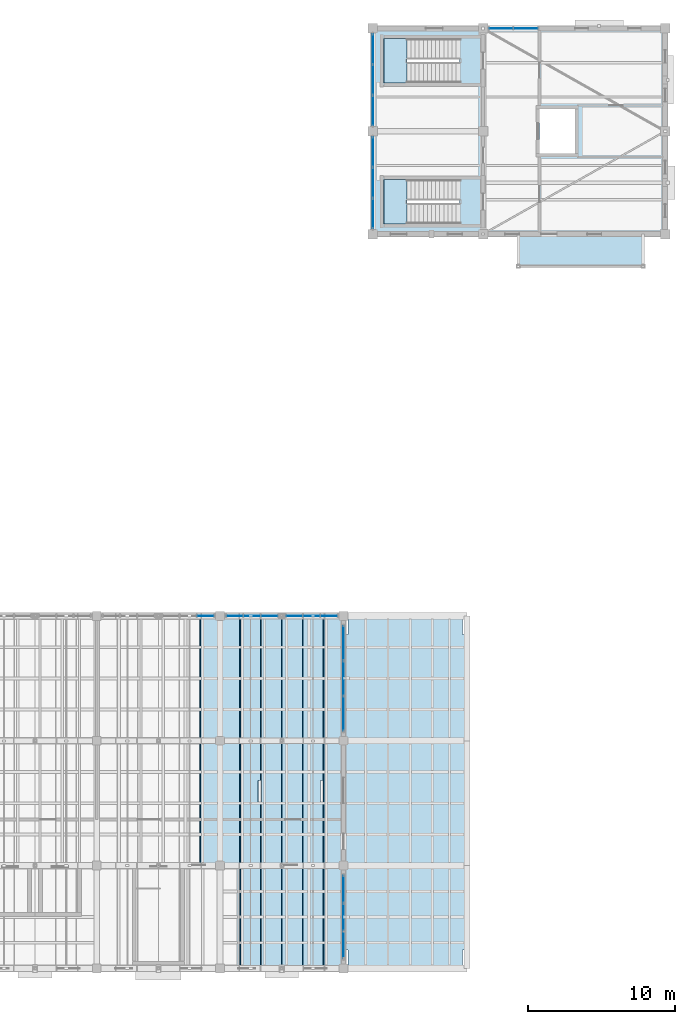
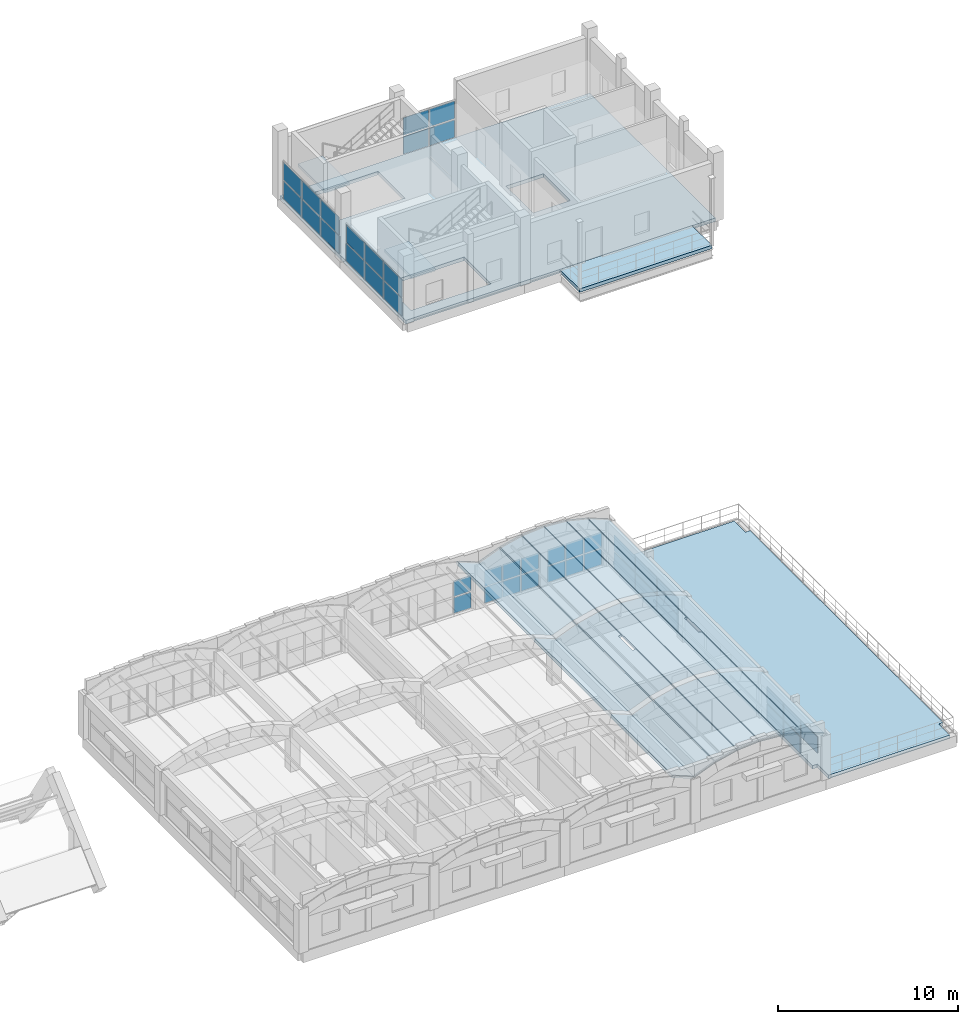
# One storey, part 22 of 40: 41 plates, 12 slabs, 10 elements without a shape of their own.
"""IFC4 building model written with IfcOpenShell, lengths in metres."""

from ifc_helpers import new_model, si_unit, direction, frame, origin, origin_2d, place, context, subcontext, project, spatial, polyline, rectangle, outline, extrude, material, layer, layer_set, type_object, element, aggregate, save


model = new_model("IFC4")

# Units and contexts
model_context = context("Model", 3, precision=1e-05, world=origin(), true_north=direction((0.0, 1.0)))
body_context = subcontext(model_context, "Body", "Model", "MODEL_VIEW")
ifc_project = project(units=[si_unit("LENGTHUNIT", "METRE"), si_unit("AREAUNIT", "SQUARE_METRE"), si_unit("VOLUMEUNIT", "CUBIC_METRE"), si_unit("PLANEANGLEUNIT", "RADIAN"), si_unit("MASSUNIT", "GRAM", prefix="KILO")], contexts=[model_context])

# Site, building, storey
site_placement = place(None, origin())
site = spatial("IfcSite", under=ifc_project, at=site_placement, CompositionType="ELEMENT")
building_placement = place(site_placement, origin())
building = spatial("IfcBuilding", under=site, at=building_placement, Name="Trellovar Central Fire Station", CompositionType="ELEMENT")
storey_placement = place(building_placement, frame((0.0, 0.0, 12.75)))
storey = spatial("IfcBuildingStorey", under=building, at=storey_placement, Name="L04", CompositionType="ELEMENT", Elevation=12.75)

# Curtain wall, plate
ifc_material_1 = material(Name="Thermally broken bronze anodized aluminum", Category="aluminium")
ifc_layer_1 = layer(ifc_material_1, 0.159912109375)
ifc_layer_set_1 = layer_set([ifc_layer_1], Name="Thermally broken bronze anodized aluminum")
curtain_wall_type_1 = type_object("IfcCurtainWallType", Name="CW-09", PredefinedType="NOTDEFINED", material=ifc_layer_set_1)
curtain_wall_1_placement = place(storey_placement, origin())
curtain_wall_1 = element("IfcCurtainWall", 1, at=curtain_wall_1_placement, inside=storey, type_object=curtain_wall_type_1, Name="L04 curtain wall CW-9", PredefinedType="NOTDEFINED")
ifc_material_2 = material(Name="Double low-E solar control insulated glazing", Category="glass")
ifc_layer_2 = layer(ifc_material_2, 0.031982421875)
ifc_layer_set_2 = layer_set([ifc_layer_2], Name="Double low-E solar control insulated glazing")
plate_type_1 = type_object("IfcPlateType", Name="CWP-GL1", PredefinedType="CURTAIN_PANEL", material=ifc_layer_set_2)
plate_1_placement = place(storey_placement, frame((129.708251953125, 33.0, 1.18505859375), z_axis=(0.0, 0.0, 1.0), x_axis=(-1.0, 0.0, 0.0)))
plate_1 = element("IfcPlate", 2, at=plate_1_placement, type_object=plate_type_1, Name="CW3-L04-0095 panel 1-2", PredefinedType="CURTAIN_PANEL", context=body_context, shape_type="SweptSolid", body=[
    extrude(rectangle(XDim=1.103271484375, YDim=0.031982421875, at=origin_2d()), origin(), (0.0, 0.0, 1.0), 1.06494140625),
])

curtain_wall_2_placement = place(storey_placement, origin())
curtain_wall_2 = element("IfcCurtainWall", 3, at=curtain_wall_2_placement, inside=storey, type_object=curtain_wall_type_1, Name="L04 curtain wall CW-9", PredefinedType="NOTDEFINED")
plate_2_placement = place(storey_placement, frame((135.74169921875, 33.0, 1.18505859375), z_axis=(0.0, 0.0, 1.0), x_axis=(-1.0, 0.0, 0.0)))
plate_2 = element("IfcPlate", 4, at=plate_2_placement, type_object=plate_type_1, Name="CW3-L04-0097 panel 3-2", PredefinedType="CURTAIN_PANEL", context=body_context, shape_type="SweptSolid", body=[
    extrude(rectangle(XDim=1.103271484375, YDim=0.031982421875, at=origin_2d()), origin(), (0.0, 0.0, 1.0), 1.06494140625),
])

ifc_material_3 = material(Name="Thermally broken bronze anodized aluminum", Category="aluminium")
ifc_layer_3 = layer(ifc_material_3, 0.159912109375)
ifc_layer_set_3 = layer_set([ifc_layer_3], Name="Thermally broken bronze anodized aluminum")
curtain_wall_type_2 = type_object("IfcCurtainWallType", Name="CW-10", PredefinedType="NOTDEFINED", material=ifc_layer_set_3)
curtain_wall_3_placement = place(storey_placement, origin())
curtain_wall_3 = element("IfcCurtainWall", 5, at=curtain_wall_3_placement, inside=storey, type_object=curtain_wall_type_2, Name="L04 curtain wall CW-10", PredefinedType="NOTDEFINED")
plate_3_placement = place(storey_placement, frame((132.875, 33.0, 1.18505859375), z_axis=(0.0, 0.0, 1.0), x_axis=(-1.0, 0.0, 0.0)))
plate_3 = element("IfcPlate", 6, at=plate_3_placement, type_object=plate_type_1, Name="CW3-L04-0098 panel 2-2", PredefinedType="CURTAIN_PANEL", context=body_context, shape_type="SweptSolid", body=[
    extrude(rectangle(XDim=1.103515625, YDim=0.031982421875, at=origin_2d()), origin(), (0.0, 0.0, 1.0), 1.06494140625),
])

ifc_material_4 = material(Name="Thermally broken bronze anodized aluminum", Category="aluminium")
ifc_layer_4 = layer(ifc_material_4, 0.159912109375)
ifc_layer_set_4 = layer_set([ifc_layer_4], Name="Thermally broken bronze anodized aluminum")
curtain_wall_type_3 = type_object("IfcCurtainWallType", Name="CW-01", PredefinedType="NOTDEFINED", material=ifc_layer_set_4)
curtain_wall_4_placement = place(storey_placement, origin())
curtain_wall_4 = element("IfcCurtainWall", 7, at=curtain_wall_4_placement, inside=storey, type_object=curtain_wall_type_3, Name="L04 curtain wall CW-1", PredefinedType="NOTDEFINED")
plate_4_placement = place(storey_placement, frame((139.10009765625, 12.5, 1.2099609375), z_axis=(0.0, 0.0, 1.0), x_axis=(0.0, 1.0, 0.0)))
plate_4 = element("IfcPlate", 8, at=plate_4_placement, type_object=plate_type_1, Name="CW3-L04-0102 panel 2-2", PredefinedType="CURTAIN_PANEL", context=body_context, shape_type="SweptSolid", body=[
    extrude(rectangle(XDim=1.820068359375, YDim=0.031982421875, at=origin_2d()), origin(), (0.0, 0.0, 1.0), 1.090087890625),
])

curtain_wall_5_placement = place(storey_placement, origin())
curtain_wall_5 = element("IfcCurtainWall", 9, at=curtain_wall_5_placement, inside=storey, type_object=curtain_wall_type_3, Name="L04 curtain wall CW-1", PredefinedType="NOTDEFINED")
plate_5_placement = place(storey_placement, frame((139.10009765625, 26.35009765625, 1.2099609375), z_axis=(0.0, 0.0, 1.0), x_axis=(0.0, 1.0, 0.0)))
plate_5 = element("IfcPlate", 10, at=plate_5_placement, type_object=plate_type_1, Name="CW3-L04-0103 panel 1-2", PredefinedType="CURTAIN_PANEL", context=body_context, shape_type="SweptSolid", body=[
    extrude(rectangle(XDim=2.320068359375, YDim=0.031982421875, at=origin_2d()), origin(), (0.0, 0.0, 1.0), 1.090087890625),
])

ifc_material_5 = material(Name="Thermally broken bronze anodized aluminum", Category="aluminium")
ifc_layer_5 = layer(ifc_material_5, 0.159912109375)
ifc_layer_set_5 = layer_set([ifc_layer_5], Name="Thermally broken bronze anodized aluminum")
curtain_wall_type_4 = type_object("IfcCurtainWallType", Name="CW-08", PredefinedType="NOTDEFINED", material=ifc_layer_set_5)
curtain_wall_6_placement = place(storey_placement, origin())
curtain_wall_6 = element("IfcCurtainWall", 11, at=curtain_wall_6_placement, inside=storey, type_object=curtain_wall_type_4, Name="V2 L04 north lobby curtain wall", PredefinedType="NOTDEFINED")
plate_6_placement = place(storey_placement, frame((149.822509765625, 73.0, 1.31494140625), z_axis=(0.0, 0.0, 1.0), x_axis=(-1.0, 0.0, 0.0)))
plate_6 = element("IfcPlate", 12, at=plate_6_placement, type_object=plate_type_1, Name="CW3-L04-0162 panel 2-2", PredefinedType="CURTAIN_PANEL", context=body_context, shape_type="SweptSolid", body=[
    extrude(rectangle(XDim=1.60498046875, YDim=0.031982421875, at=origin_2d()), origin(), (0.0, 0.0, 1.0), 1.195068359375),
])

curtain_wall_7_placement = place(storey_placement, origin())
curtain_wall_7 = element("IfcCurtainWall", 13, at=curtain_wall_7_placement, inside=storey, type_object=curtain_wall_type_1, Name="V2 L04 west drill yard curtain wall", PredefinedType="NOTDEFINED")
plate_7_placement = place(storey_placement, frame((141.10009765625, 60.406494140625, 1.31494140625), z_axis=(0.0, 0.0, 1.0), x_axis=(0.0, 1.0, 0.0)))
plate_7 = element("IfcPlate", 14, at=plate_7_placement, type_object=plate_type_1, Name="CW3-L04-0163 panel 1-2", PredefinedType="CURTAIN_PANEL", context=body_context, shape_type="SweptSolid", body=[
    extrude(rectangle(XDim=2.01318359375, YDim=0.031982421875, at=origin_2d()), origin(), (0.0, 0.0, 1.0), 1.195068359375),
])

# Plate
ifc_material_6 = material(Name="Double low-E solar control insulated glazing", Category="glass")
ifc_layer_6 = layer(ifc_material_6, 0.035888671875)
ifc_layer_set_6 = layer_set([ifc_layer_6], Name="Double low-E solar control insulated glazing")
plate_type_2 = type_object("IfcPlateType", Name="CWP-GL2", PredefinedType="CURTAIN_PANEL", material=ifc_layer_set_6)
plate_8_placement = place(storey_placement, frame((131.691650390625, 33.0, 1.18505859375), z_axis=(0.0, 0.0, 1.0), x_axis=(-1.0, 0.0, 0.0)))
plate_8 = element("IfcPlate", 15, at=plate_8_placement, type_object=plate_type_2, Name="CW3-L04-0098 panel 3-2", PredefinedType="CURTAIN_PANEL", context=body_context, shape_type="SweptSolid", body=[
    extrude(rectangle(XDim=1.103271484375, YDim=0.035888671875, at=origin_2d()), origin(), (0.0, 0.0, 1.0), 1.06494140625),
])

plate_9_placement = place(storey_placement, frame((139.10009765625, 14.39990234375, 1.2099609375), z_axis=(0.0, 0.0, 1.0), x_axis=(0.0, 1.0, 0.0)))
plate_9 = element("IfcPlate", 16, at=plate_9_placement, type_object=plate_type_2, Name="CW3-L04-0102 panel 3-2", PredefinedType="CURTAIN_PANEL", context=body_context, shape_type="SweptSolid", body=[
    extrude(rectangle(XDim=1.820068359375, YDim=0.035888671875, at=origin_2d()), origin(), (0.0, 0.0, 1.0), 1.090087890625),
])

plate_10_placement = place(storey_placement, frame((139.10009765625, 28.75, 1.2099609375), z_axis=(0.0, 0.0, 1.0), x_axis=(0.0, 1.0, 0.0)))
plate_10 = element("IfcPlate", 17, at=plate_10_placement, type_object=plate_type_2, Name="CW3-L04-0103 panel 2-2", PredefinedType="CURTAIN_PANEL", context=body_context, shape_type="SweptSolid", body=[
    extrude(rectangle(XDim=2.320068359375, YDim=0.035888671875, at=origin_2d()), origin(), (0.0, 0.0, 1.0), 1.090087890625),
])

plate_11_placement = place(storey_placement, frame((141.10009765625, 62.5, 1.31494140625), z_axis=(0.0, 0.0, 1.0), x_axis=(0.0, 1.0, 0.0)))
plate_11 = element("IfcPlate", 18, at=plate_11_placement, type_object=plate_type_2, Name="CW3-L04-0163 panel 2-2", PredefinedType="CURTAIN_PANEL", context=body_context, shape_type="SweptSolid", body=[
    extrude(rectangle(XDim=2.013427734375, YDim=0.035888671875, at=origin_2d()), origin(), (0.0, 0.0, 1.0), 1.195068359375),
])

# Curtain wall, plate
curtain_wall_8_placement = place(storey_placement, origin())
curtain_wall_8 = element("IfcCurtainWall", 19, at=curtain_wall_8_placement, inside=storey, type_object=curtain_wall_type_1, Name="V2 L04 west drill yard curtain wall", PredefinedType="NOTDEFINED")
plate_12_placement = place(storey_placement, frame((141.10009765625, 67.406494140625, 1.31494140625), z_axis=(0.0, 0.0, 1.0), x_axis=(0.0, 1.0, 0.0)))
plate_12 = element("IfcPlate", 20, at=plate_12_placement, type_object=plate_type_2, Name="CW3-L04-0164 panel 1-2", PredefinedType="CURTAIN_PANEL", context=body_context, shape_type="SweptSolid", body=[
    extrude(rectangle(XDim=2.01318359375, YDim=0.035888671875, at=origin_2d()), origin(), (0.0, 0.0, 1.0), 1.195068359375),
])

# Plate
ifc_material_7 = material(Name="Double low-E solar control insulated glazing", Category="glass")
ifc_layer_7 = layer(ifc_material_7, 0.033935546875)
ifc_layer_set_7 = layer_set([ifc_layer_7], Name="Double low-E solar control insulated glazing")
plate_type_3 = type_object("IfcPlateType", Name="CWP-GL3", PredefinedType="CURTAIN_PANEL", material=ifc_layer_set_7)
plate_13_placement = place(storey_placement, frame((138.1083984375, 33.0, 1.18505859375), z_axis=(0.0, 0.0, 1.0), x_axis=(-1.0, 0.0, 0.0)))
plate_13 = element("IfcPlate", 21, at=plate_13_placement, type_object=plate_type_3, Name="CW3-L04-0097 panel 1-2", PredefinedType="CURTAIN_PANEL", context=body_context, shape_type="SweptSolid", body=[
    extrude(rectangle(XDim=1.103271484375, YDim=0.033935546875, at=origin_2d()), origin(), (0.0, 0.0, 1.0), 1.06494140625),
])

plate_14_placement = place(storey_placement, frame((139.10009765625, 31.14990234375, 1.2099609375), z_axis=(0.0, 0.0, 1.0), x_axis=(0.0, 1.0, 0.0)))
plate_14 = element("IfcPlate", 22, at=plate_14_placement, type_object=plate_type_3, Name="CW3-L04-0103 panel 3-2", PredefinedType="CURTAIN_PANEL", context=body_context, shape_type="SweptSolid", body=[
    extrude(rectangle(XDim=2.320068359375, YDim=0.033935546875, at=origin_2d()), origin(), (0.0, 0.0, 1.0), 1.090087890625),
])

plate_15_placement = place(storey_placement, frame((141.10009765625, 64.593505859375, 1.31494140625), z_axis=(0.0, 0.0, 1.0), x_axis=(0.0, 1.0, 0.0)))
plate_15 = element("IfcPlate", 23, at=plate_15_placement, type_object=plate_type_3, Name="CW3-L04-0163 panel 3-2", PredefinedType="CURTAIN_PANEL", context=body_context, shape_type="SweptSolid", body=[
    extrude(rectangle(XDim=2.01318359375, YDim=0.033935546875, at=origin_2d()), origin(), (0.0, 0.0, 1.0), 1.195068359375),
])

plate_16_placement = place(storey_placement, frame((141.10009765625, 69.5, 1.31494140625), z_axis=(0.0, 0.0, 1.0), x_axis=(0.0, 1.0, 0.0)))
plate_16 = element("IfcPlate", 24, at=plate_16_placement, type_object=plate_type_3, Name="CW3-L04-0164 panel 2-2", PredefinedType="CURTAIN_PANEL", context=body_context, shape_type="SweptSolid", body=[
    extrude(rectangle(XDim=2.013427734375, YDim=0.033935546875, at=origin_2d()), origin(), (0.0, 0.0, 1.0), 1.195068359375),
])

ifc_material_8 = material(Name="Double low-E solar control insulated glazing", Category="glass")
ifc_layer_8 = layer(ifc_material_8, 0.030029296875)
ifc_layer_set_8 = layer_set([ifc_layer_8], Name="Double low-E solar control insulated glazing")
plate_type_4 = type_object("IfcPlateType", Name="CWP-GL4", PredefinedType="CURTAIN_PANEL", material=ifc_layer_set_8)
plate_17_placement = place(storey_placement, frame((136.925048828125, 33.0, 1.18505859375), z_axis=(0.0, 0.0, 1.0), x_axis=(-1.0, 0.0, 0.0)))
plate_17 = element("IfcPlate", 25, at=plate_17_placement, type_object=plate_type_4, Name="CW3-L04-0097 panel 2-2", PredefinedType="CURTAIN_PANEL", context=body_context, shape_type="SweptSolid", body=[
    extrude(rectangle(XDim=1.103515625, YDim=0.030029296875, at=origin_2d()), origin(), (0.0, 0.0, 1.0), 1.06494140625),
])

plate_18_placement = place(storey_placement, frame((134.058349609375, 33.0, 1.18505859375), z_axis=(0.0, 0.0, 1.0), x_axis=(-1.0, 0.0, 0.0)))
plate_18 = element("IfcPlate", 26, at=plate_18_placement, type_object=plate_type_4, Name="CW3-L04-0098 panel 1-2", PredefinedType="CURTAIN_PANEL", context=body_context, shape_type="SweptSolid", body=[
    extrude(rectangle(XDim=1.103271484375, YDim=0.030029296875, at=origin_2d()), origin(), (0.0, 0.0, 1.0), 1.06494140625),
])

plate_19_placement = place(storey_placement, frame((139.10009765625, 10.60009765625, 1.2099609375), z_axis=(0.0, 0.0, 1.0), x_axis=(0.0, 1.0, 0.0)))
plate_19 = element("IfcPlate", 27, at=plate_19_placement, type_object=plate_type_4, Name="CW3-L04-0102 panel 1-2", PredefinedType="CURTAIN_PANEL", context=body_context, shape_type="SweptSolid", body=[
    extrude(rectangle(XDim=1.820068359375, YDim=0.030029296875, at=origin_2d()), origin(), (0.0, 0.0, 1.0), 1.090087890625),
])

plate_20_placement = place(storey_placement, frame((151.507568359375, 73.0, 1.31494140625), z_axis=(0.0, 0.0, 1.0), x_axis=(-1.0, 0.0, 0.0)))
plate_20 = element("IfcPlate", 28, at=plate_20_placement, type_object=plate_type_4, Name="CW3-L04-0162 panel 1-2", PredefinedType="CURTAIN_PANEL", context=body_context, shape_type="SweptSolid", body=[
    extrude(rectangle(XDim=1.60498046875, YDim=0.030029296875, at=origin_2d()), origin(), (0.0, 0.0, 1.0), 1.195068359375),
])

plate_21_placement = place(storey_placement, frame((141.10009765625, 71.593505859375, 1.31494140625), z_axis=(0.0, 0.0, 1.0), x_axis=(0.0, 1.0, 0.0)))
plate_21 = element("IfcPlate", 29, at=plate_21_placement, type_object=plate_type_4, Name="CW3-L04-0164 panel 3-2", PredefinedType="CURTAIN_PANEL", context=body_context, shape_type="SweptSolid", body=[
    extrude(rectangle(XDim=2.01318359375, YDim=0.030029296875, at=origin_2d()), origin(), (0.0, 0.0, 1.0), 1.195068359375),
])

ifc_material_9 = material(Name="Glazed ceramic trencadis and terracotta panel", Category="masonry")
ifc_layer_9 = layer(ifc_material_9, 0.048095703125)
ifc_layer_set_9 = layer_set([ifc_layer_9], Name="Glazed ceramic trencadis and terracotta panel")
plate_type_5 = type_object("IfcPlateType", Name="CWP-SP1", PredefinedType="CURTAIN_PANEL", material=ifc_layer_set_9)
plate_22_placement = place(storey_placement, frame((136.925048828125, 33.0, 0.0400390625), z_axis=(0.0, 0.0, 1.0), x_axis=(-1.0, 0.0, 0.0)))
plate_22 = element("IfcPlate", 30, at=plate_22_placement, type_object=plate_type_5, Name="CW3-L04-0097 panel 2-1", PredefinedType="CURTAIN_PANEL", context=body_context, shape_type="SweptSolid", body=[
    extrude(rectangle(XDim=1.103515625, YDim=0.048095703125, at=origin_2d()), origin(), (0.0, 0.0, 1.0), 1.06494140625),
])

plate_23_placement = place(storey_placement, frame((134.058349609375, 33.0, 0.0400390625), z_axis=(0.0, 0.0, 1.0), x_axis=(-1.0, 0.0, 0.0)))
plate_23 = element("IfcPlate", 31, at=plate_23_placement, type_object=plate_type_5, Name="CW3-L04-0098 panel 1-1", PredefinedType="CURTAIN_PANEL", context=body_context, shape_type="SweptSolid", body=[
    extrude(rectangle(XDim=1.103271484375, YDim=0.048095703125, at=origin_2d()), origin(), (0.0, 0.0, 1.0), 1.06494140625),
])

plate_24_placement = place(storey_placement, frame((131.691650390625, 33.0, 0.0400390625), z_axis=(0.0, 0.0, 1.0), x_axis=(-1.0, 0.0, 0.0)))
plate_24 = element("IfcPlate", 32, at=plate_24_placement, type_object=plate_type_5, Name="CW3-L04-0098 panel 3-1", PredefinedType="CURTAIN_PANEL", context=body_context, shape_type="SweptSolid", body=[
    extrude(rectangle(XDim=1.103271484375, YDim=0.048095703125, at=origin_2d()), origin(), (0.0, 0.0, 1.0), 1.06494140625),
])

plate_25_placement = place(storey_placement, frame((139.10009765625, 14.39990234375, 0.0400390625), z_axis=(0.0, 0.0, 1.0), x_axis=(0.0, 1.0, 0.0)))
plate_25 = element("IfcPlate", 33, at=plate_25_placement, type_object=plate_type_5, Name="CW3-L04-0102 panel 3-1", PredefinedType="CURTAIN_PANEL", context=body_context, shape_type="SweptSolid", body=[
    extrude(rectangle(XDim=1.820068359375, YDim=0.048095703125, at=origin_2d()), origin(), (0.0, 0.0, 1.0), 1.090087890625),
])

plate_26_placement = place(storey_placement, frame((139.10009765625, 28.75, 0.0400390625), z_axis=(0.0, 0.0, 1.0), x_axis=(0.0, 1.0, 0.0)))
plate_26 = element("IfcPlate", 34, at=plate_26_placement, type_object=plate_type_5, Name="CW3-L04-0103 panel 2-1", PredefinedType="CURTAIN_PANEL", context=body_context, shape_type="SweptSolid", body=[
    extrude(rectangle(XDim=2.320068359375, YDim=0.048095703125, at=origin_2d()), origin(), (0.0, 0.0, 1.0), 1.090087890625),
])

plate_27_placement = place(storey_placement, frame((151.507568359375, 73.0, 0.0400390625), z_axis=(0.0, 0.0, 1.0), x_axis=(-1.0, 0.0, 0.0)))
plate_27 = element("IfcPlate", 35, at=plate_27_placement, type_object=plate_type_5, Name="CW3-L04-0162 panel 1-1", PredefinedType="CURTAIN_PANEL", context=body_context, shape_type="SweptSolid", body=[
    extrude(rectangle(XDim=1.60498046875, YDim=0.048095703125, at=origin_2d()), origin(), (0.0, 0.0, 1.0), 1.195068359375),
])

plate_28_placement = place(storey_placement, frame((141.10009765625, 62.5, 0.0400390625), z_axis=(0.0, 0.0, 1.0), x_axis=(0.0, 1.0, 0.0)))
plate_28 = element("IfcPlate", 36, at=plate_28_placement, type_object=plate_type_5, Name="CW3-L04-0163 panel 2-1", PredefinedType="CURTAIN_PANEL", context=body_context, shape_type="SweptSolid", body=[
    extrude(rectangle(XDim=2.013427734375, YDim=0.048095703125, at=origin_2d()), origin(), (0.0, 0.0, 1.0), 1.195068359375),
])

plate_29_placement = place(storey_placement, frame((141.10009765625, 67.406494140625, 0.0400390625), z_axis=(0.0, 0.0, 1.0), x_axis=(0.0, 1.0, 0.0)))
plate_29 = element("IfcPlate", 37, at=plate_29_placement, type_object=plate_type_5, Name="CW3-L04-0164 panel 1-1", PredefinedType="CURTAIN_PANEL", context=body_context, shape_type="SweptSolid", body=[
    extrude(rectangle(XDim=2.01318359375, YDim=0.048095703125, at=origin_2d()), origin(), (0.0, 0.0, 1.0), 1.195068359375),
])

plate_30_placement = place(storey_placement, frame((141.10009765625, 71.593505859375, 0.0400390625), z_axis=(0.0, 0.0, 1.0), x_axis=(0.0, 1.0, 0.0)))
plate_30 = element("IfcPlate", 38, at=plate_30_placement, type_object=plate_type_5, Name="CW3-L04-0164 panel 3-1", PredefinedType="CURTAIN_PANEL", context=body_context, shape_type="SweptSolid", body=[
    extrude(rectangle(XDim=2.01318359375, YDim=0.048095703125, at=origin_2d()), origin(), (0.0, 0.0, 1.0), 1.195068359375),
])

ifc_material_10 = material(Name="Glazed ceramic trencadis and terracotta panel", Category="masonry")
ifc_layer_10 = layer(ifc_material_10, 0.044921875)
ifc_layer_set_10 = layer_set([ifc_layer_10], Name="Glazed ceramic trencadis and terracotta panel")
plate_type_6 = type_object("IfcPlateType", Name="CWP-SP2", PredefinedType="CURTAIN_PANEL", material=ifc_layer_set_10)
plate_31_placement = place(storey_placement, frame((129.708251953125, 33.0, 0.0400390625), z_axis=(0.0, 0.0, 1.0), x_axis=(-1.0, 0.0, 0.0)))
plate_31 = element("IfcPlate", 39, at=plate_31_placement, type_object=plate_type_6, Name="CW3-L04-0095 panel 1-1", PredefinedType="CURTAIN_PANEL", context=body_context, shape_type="SweptSolid", body=[
    extrude(rectangle(XDim=1.103271484375, YDim=0.044921875, at=origin_2d()), origin(), (0.0, 0.0, 1.0), 1.06494140625),
])

aggregate(curtain_wall_1, [plate_31, plate_1])

plate_32_placement = place(storey_placement, frame((138.1083984375, 33.0, 0.0400390625), z_axis=(0.0, 0.0, 1.0), x_axis=(-1.0, 0.0, 0.0)))
plate_32 = element("IfcPlate", 40, at=plate_32_placement, type_object=plate_type_6, Name="CW3-L04-0097 panel 1-1", PredefinedType="CURTAIN_PANEL", context=body_context, shape_type="SweptSolid", body=[
    extrude(rectangle(XDim=1.103271484375, YDim=0.044921875, at=origin_2d()), origin(), (0.0, 0.0, 1.0), 1.06494140625),
])

plate_33_placement = place(storey_placement, frame((135.74169921875, 33.0, 0.0400390625), z_axis=(0.0, 0.0, 1.0), x_axis=(-1.0, 0.0, 0.0)))
plate_33 = element("IfcPlate", 41, at=plate_33_placement, type_object=plate_type_6, Name="CW3-L04-0097 panel 3-1", PredefinedType="CURTAIN_PANEL", context=body_context, shape_type="SweptSolid", body=[
    extrude(rectangle(XDim=1.103271484375, YDim=0.044921875, at=origin_2d()), origin(), (0.0, 0.0, 1.0), 1.06494140625),
])

aggregate(curtain_wall_2, [plate_32, plate_13, plate_22, plate_17, plate_33, plate_2])

plate_34_placement = place(storey_placement, frame((132.875, 33.0, 0.0400390625), z_axis=(0.0, 0.0, 1.0), x_axis=(-1.0, 0.0, 0.0)))
plate_34 = element("IfcPlate", 42, at=plate_34_placement, type_object=plate_type_6, Name="CW3-L04-0098 panel 2-1", PredefinedType="CURTAIN_PANEL", context=body_context, shape_type="SweptSolid", body=[
    extrude(rectangle(XDim=1.103515625, YDim=0.044921875, at=origin_2d()), origin(), (0.0, 0.0, 1.0), 1.06494140625),
])

aggregate(curtain_wall_3, [plate_23, plate_18, plate_34, plate_3, plate_24, plate_8])

plate_35_placement = place(storey_placement, frame((139.10009765625, 12.5, 0.0400390625), z_axis=(0.0, 0.0, 1.0), x_axis=(0.0, 1.0, 0.0)))
plate_35 = element("IfcPlate", 43, at=plate_35_placement, type_object=plate_type_6, Name="CW3-L04-0102 panel 2-1", PredefinedType="CURTAIN_PANEL", context=body_context, shape_type="SweptSolid", body=[
    extrude(rectangle(XDim=1.820068359375, YDim=0.044921875, at=origin_2d()), origin(), (0.0, 0.0, 1.0), 1.090087890625),
])

aggregate(curtain_wall_4, [plate_19, plate_35, plate_4, plate_25, plate_9])

plate_36_placement = place(storey_placement, frame((139.10009765625, 26.35009765625, 0.0400390625), z_axis=(0.0, 0.0, 1.0), x_axis=(0.0, 1.0, 0.0)))
plate_36 = element("IfcPlate", 44, at=plate_36_placement, type_object=plate_type_6, Name="CW3-L04-0103 panel 1-1", PredefinedType="CURTAIN_PANEL", context=body_context, shape_type="SweptSolid", body=[
    extrude(rectangle(XDim=2.320068359375, YDim=0.044921875, at=origin_2d()), origin(), (0.0, 0.0, 1.0), 1.090087890625),
])

plate_37_placement = place(storey_placement, frame((139.10009765625, 31.14990234375, 0.0400390625), z_axis=(0.0, 0.0, 1.0), x_axis=(0.0, 1.0, 0.0)))
plate_37 = element("IfcPlate", 45, at=plate_37_placement, type_object=plate_type_6, Name="CW3-L04-0103 panel 3-1", PredefinedType="CURTAIN_PANEL", context=body_context, shape_type="SweptSolid", body=[
    extrude(rectangle(XDim=2.320068359375, YDim=0.044921875, at=origin_2d()), origin(), (0.0, 0.0, 1.0), 1.090087890625),
])

aggregate(curtain_wall_5, [plate_36, plate_5, plate_26, plate_10, plate_37, plate_14])

plate_38_placement = place(storey_placement, frame((149.822509765625, 73.0, 0.0400390625), z_axis=(0.0, 0.0, 1.0), x_axis=(-1.0, 0.0, 0.0)))
plate_38 = element("IfcPlate", 46, at=plate_38_placement, type_object=plate_type_6, Name="CW3-L04-0162 panel 2-1", PredefinedType="CURTAIN_PANEL", context=body_context, shape_type="SweptSolid", body=[
    extrude(rectangle(XDim=1.60498046875, YDim=0.044921875, at=origin_2d()), origin(), (0.0, 0.0, 1.0), 1.195068359375),
])

aggregate(curtain_wall_6, [plate_27, plate_20, plate_38, plate_6])

plate_39_placement = place(storey_placement, frame((141.10009765625, 60.406494140625, 0.0400390625), z_axis=(0.0, 0.0, 1.0), x_axis=(0.0, 1.0, 0.0)))
plate_39 = element("IfcPlate", 47, at=plate_39_placement, type_object=plate_type_6, Name="CW3-L04-0163 panel 1-1", PredefinedType="CURTAIN_PANEL", context=body_context, shape_type="SweptSolid", body=[
    extrude(rectangle(XDim=2.01318359375, YDim=0.044921875, at=origin_2d()), origin(), (0.0, 0.0, 1.0), 1.195068359375),
])

plate_40_placement = place(storey_placement, frame((141.10009765625, 64.593505859375, 0.0400390625), z_axis=(0.0, 0.0, 1.0), x_axis=(0.0, 1.0, 0.0)))
plate_40 = element("IfcPlate", 48, at=plate_40_placement, type_object=plate_type_6, Name="CW3-L04-0163 panel 3-1", PredefinedType="CURTAIN_PANEL", context=body_context, shape_type="SweptSolid", body=[
    extrude(rectangle(XDim=2.01318359375, YDim=0.044921875, at=origin_2d()), origin(), (0.0, 0.0, 1.0), 1.195068359375),
])

aggregate(curtain_wall_7, [plate_39, plate_7, plate_28, plate_11, plate_40, plate_15])

plate_41_placement = place(storey_placement, frame((141.10009765625, 69.5, 0.0400390625), z_axis=(0.0, 0.0, 1.0), x_axis=(0.0, 1.0, 0.0)))
plate_41 = element("IfcPlate", 49, at=plate_41_placement, type_object=plate_type_6, Name="CW3-L04-0164 panel 2-1", PredefinedType="CURTAIN_PANEL", context=body_context, shape_type="SweptSolid", body=[
    extrude(rectangle(XDim=2.013427734375, YDim=0.044921875, at=origin_2d()), origin(), (0.0, 0.0, 1.0), 1.195068359375),
])

aggregate(curtain_wall_8, [plate_29, plate_12, plate_41, plate_16, plate_30, plate_21])

# Slab
ifc_material_11 = material(Name="Concrete C40/50", Category="concrete")
ifc_layer_11 = layer(ifc_material_11, 0.239990234375)
ifc_layer_set_11 = layer_set([ifc_layer_11], Name="Concrete C40/50")
slab_type_1 = type_object("IfcSlabType", Name="SLB-FL240", PredefinedType="FLOOR", material=ifc_layer_set_11)
slab_1_placement = place(storey_placement, frame((0.0, 0.0, -0.239990234375)))
element("IfcSlab", 50, at=slab_1_placement, inside=storey, type_object=slab_type_1, Name="V2 Drill Tower L04 training deck slab", PredefinedType="FLOOR", context=body_context, shape_type="SweptSolid", body=[
    extrude(outline(polyline([(141.10009765625, 59.0), (161.0, 59.0), (161.0, 73.0), (141.10009765625, 73.0), (141.10009765625, 59.0)]), holes=[polyline([(146.989990234375, 62.699951171875), (141.85009765625, 62.699951171875), (141.85009765625, 59.699951171875), (146.989990234375, 59.699951171875), (146.989990234375, 62.699951171875)]), polyline([(146.989990234375, 72.300048828125), (141.85009765625, 72.300048828125), (141.85009765625, 69.300048828125), (146.989990234375, 69.300048828125), (146.989990234375, 72.300048828125)]), polyline([(152.449951171875, 64.5), (154.85009765625, 64.5), (154.85009765625, 67.5), (152.449951171875, 67.5), (152.449951171875, 64.5)])]), origin(), (0.0, 0.0, 1.0), 0.239990234375),
])

# Stair, slab
ifc_material_12 = material(Name="Concrete C40/50", Category="concrete")
stair_type = type_object("IfcStairType", Name="ST-R1661", PredefinedType="HALF_TURN_STAIR", material=ifc_material_12)
stair_1_placement = place(storey_placement, origin())
stair_1 = element("IfcStair", 51, at=stair_1_placement, inside=storey, type_object=stair_type, Name="L04 Protected exit stair ST-05", PredefinedType="HALF_TURN_STAIR")
ifc_material_13 = material(Name="Concrete C40/50", Category="concrete")
ifc_layer_12 = layer(ifc_material_13, 0.199951171875)
ifc_layer_set_12 = layer_set([ifc_layer_12], Name="Concrete C40/50")
slab_type_2 = type_object("IfcSlabType", Name="SLB-LND", PredefinedType="LANDING", material=ifc_layer_set_12)
slab_2_placement = place(storey_placement, frame((0.0, 0.0, 2.125)))
slab_2 = element("IfcSlab", 52, at=slab_2_placement, type_object=slab_type_2, Name="ST-05 landing 1", PredefinedType="LANDING", context=body_context, shape_type="SweptSolid", body=[
    extrude(outline(polyline([(143.409912109375, 62.699951171875), (141.85009765625, 62.699951171875), (141.85009765625, 59.699951171875), (143.409912109375, 59.699951171875), (143.409912109375, 62.699951171875)])), origin(), (0.0, 0.0, 1.0), 0.199951171875),
])
aggregate(stair_1, [slab_2])

stair_2_placement = place(storey_placement, origin())
stair_2 = element("IfcStair", 53, at=stair_2_placement, inside=storey, type_object=stair_type, Name="L04 Protected exit stair ST-06", PredefinedType="HALF_TURN_STAIR")
slab_3_placement = place(storey_placement, frame((0.0, 0.0, 2.125)))
slab_3 = element("IfcSlab", 54, at=slab_3_placement, type_object=slab_type_2, Name="ST-06 landing 1", PredefinedType="LANDING", context=body_context, shape_type="SweptSolid", body=[
    extrude(outline(polyline([(143.409912109375, 72.300048828125), (141.85009765625, 72.300048828125), (141.85009765625, 69.300048828125), (143.409912109375, 69.300048828125), (143.409912109375, 72.300048828125)])), origin(), (0.0, 0.0, 1.0), 0.199951171875),
])
aggregate(stair_2, [slab_3])

# Slabs
ifc_material_14 = material(Name="Concrete C40/50", Category="concrete")
ifc_layer_13 = layer(ifc_material_14, 0.22998046875)
ifc_layer_set_13 = layer_set([ifc_layer_13], Name="Concrete C40/50")
slab_type_3 = type_object("IfcSlabType", Name="SLB-TER230", PredefinedType="FLOOR", material=ifc_layer_set_13)
slab_4_placement = place(storey_placement, frame((0.0, 0.0, -0.22998046875)))
element("IfcSlab", 55, at=slab_4_placement, inside=storey, type_object=slab_type_3, Name="V5 L04 walkable outdoor terrace slab", PredefinedType="FLOOR", context=body_context, shape_type="SweptSolid", body=[
    extrude(outline(polyline([(139.39990234375, 9.0), (147.199951171875, 9.0), (147.199951171875, 10.25), (147.5, 10.25), (147.5, 31.75), (147.199951171875, 31.75), (147.199951171875, 33.0), (139.39990234375, 33.0), (139.39990234375, 31.75), (139.10009765625, 31.75), (139.10009765625, 10.25), (139.39990234375, 10.25), (139.39990234375, 9.0)])), origin(), (0.0, 0.0, 1.0), 0.22998046875),
])
slab_5_placement = place(storey_placement, frame((0.0, 0.0, -0.22998046875)))
element("IfcSlab", 56, at=slab_5_placement, inside=storey, type_object=slab_type_3, Name="V2 L04 walkable outdoor terrace slab", PredefinedType="FLOOR", context=body_context, shape_type="SweptSolid", body=[
    extrude(outline(polyline([(151.0, 56.800048828125), (159.5, 56.800048828125), (159.5, 59.0), (151.0, 59.0), (151.0, 56.800048828125)])), origin(), (0.0, 0.0, 1.0), 0.22998046875),
])
ifc_material_15 = material(Name="Concrete C40/50", Category="concrete")
ifc_layer_14 = layer(ifc_material_15, 0.169921875)
ifc_layer_set_14 = layer_set([ifc_layer_14], Name="Concrete C40/50")
slab_type_4 = type_object("IfcSlabType", Name="SLB-VLT170", PredefinedType="ROOF", material=ifc_layer_set_14)
slab_6_placement = place(storey_placement, frame((129.36474609375, 9.0, 3.52978515625), z_axis=(0.368836183786, 0.0, 0.929494416084), x_axis=(0.929494416084, 0.0, -0.368836183786)))
element("IfcSlab", 57, at=slab_6_placement, inside=storey, type_object=slab_type_4, Name="V5 Catalan barrel vault slab 03-06", PredefinedType="ROOF", context=body_context, shape_type="SweptSolid", body=[
    extrude(outline(polyline([(0.0, 0.0), (1.4343840372303687, 0.0), (1.4343840372303687, 24.0), (0.0, 24.0), (0.0, 0.0)])), origin(), (0.0, 0.0, -1.0), 0.169921875),
])
slab_7_placement = place(storey_placement, frame((130.701904296875, 9.0, 3.000732421875), z_axis=(-0.368777840401, 0.0, 0.929517565423), x_axis=(0.929517565423, 0.0, 0.368777840401)))
element("IfcSlab", 58, at=slab_7_placement, inside=storey, type_object=slab_type_4, Name="V5 Catalan barrel vault slab 04-01", PredefinedType="ROOF", context=body_context, shape_type="SweptSolid", body=[
    extrude(outline(polyline([(0.0, 0.0), (1.4346109674041159, 0.0), (1.4346109674041159, 24.0), (0.0, 24.0), (0.0, 0.0)])), origin(), (0.0, 0.0, -1.0), 0.169921875),
])
slab_8_placement = place(storey_placement, frame((132.10205078125, 9.0, 3.55615234375), z_axis=(-0.231638571255, 0.0, 0.97280191833), x_axis=(0.97280191833, 0.0, 0.231638571255)))
element("IfcSlab", 59, at=slab_8_placement, inside=storey, type_object=slab_type_4, Name="V5 Catalan barrel vault slab 04-02", PredefinedType="ROOF", context=body_context, shape_type="SweptSolid", body=[
    extrude(outline(polyline([(0.0, 0.0), (1.3943714082063057, 0.0), (1.3943714082063057, 11.199951171874998), (1.20938034317939, 11.199951171874998), (1.20938034317939, 12.800048828124998), (1.3943714082063057, 12.800048828124998), (1.3943714082063057, 23.999999999999996), (0.0, 23.999999999999996), (0.0, 0.0)])), origin(), (0.0, 0.0, -1.0), 0.169921875),
])
slab_9_placement = place(storey_placement, frame((133.501953125, 9.0, 3.88916015625), z_axis=(-0.079038553843, 0.0, 0.996871559935), x_axis=(0.996871559935, 0.0, 0.079038553843)))
element("IfcSlab", 60, at=slab_9_placement, inside=storey, type_object=slab_type_4, Name="V5 Catalan barrel vault slab 04-03", PredefinedType="ROOF", context=body_context, shape_type="SweptSolid", body=[
    extrude(outline(polyline([(0.0, 0.0), (1.3869072154748645, 0.0), (1.3869072154748645, 23.999999999999996), (0.0, 23.999999999999996), (0.0, 0.0)])), origin(), (0.0, 0.0, -1.0), 0.169921875),
])
slab_10_placement = place(storey_placement, frame((134.915283203125, 9.0, 3.998779296875), z_axis=(0.079024686448, 0.0, 0.996872659336), x_axis=(0.996872659336, 0.0, -0.079024686448)))
element("IfcSlab", 61, at=slab_10_placement, inside=storey, type_object=slab_type_4, Name="V5 Catalan barrel vault slab 04-04", PredefinedType="ROOF", context=body_context, shape_type="SweptSolid", body=[
    extrude(outline(polyline([(0.0, 0.0), (1.3871505924547678, 0.0), (1.3871505924547678, 24.0), (0.0, 24.0), (0.0, 0.0)])), origin(), (0.0, 0.0, -1.0), 0.169921875),
])
slab_11_placement = place(storey_placement, frame((136.34130859375, 9.0, 3.879150390625), z_axis=(0.231598771273, 0.0, 0.972811394436), x_axis=(0.972811394436, 0.0, -0.231598771273)))
element("IfcSlab", 62, at=slab_11_placement, inside=storey, type_object=slab_type_4, Name="V5 Catalan barrel vault slab 04-05", PredefinedType="ROOF", context=body_context, shape_type="SweptSolid", body=[
    extrude(outline(polyline([(0.0, 0.0), (1.3946089094911989, 0.0), (1.3946089094911989, 11.199951171875), (1.209617849568469, 11.199951171875), (1.209617849568469, 12.800048828125), (1.3946089094911989, 12.800048828125), (1.3946089094911989, 24.0), (0.0, 24.0), (0.0, 0.0)])), origin(), (0.0, 0.0, -1.0), 0.169921875),
])
slab_12_placement = place(storey_placement, frame((137.7646484375, 9.0, 3.52978515625), z_axis=(0.368836183786, 0.0, 0.929494416084), x_axis=(0.929494416084, 0.0, -0.368836183786)))
element("IfcSlab", 63, at=slab_12_placement, inside=storey, type_object=slab_type_4, Name="V5 Catalan barrel vault slab 04-06", PredefinedType="ROOF", context=body_context, shape_type="SweptSolid", body=[
    extrude(outline(polyline([(0.0, 0.0), (1.4343840372303687, 0.0), (1.4343840372303687, 24.0), (0.0, 24.0), (0.0, 0.0)])), origin(), (0.0, 0.0, -1.0), 0.169921875),
])

save(model, "model.ifc")
